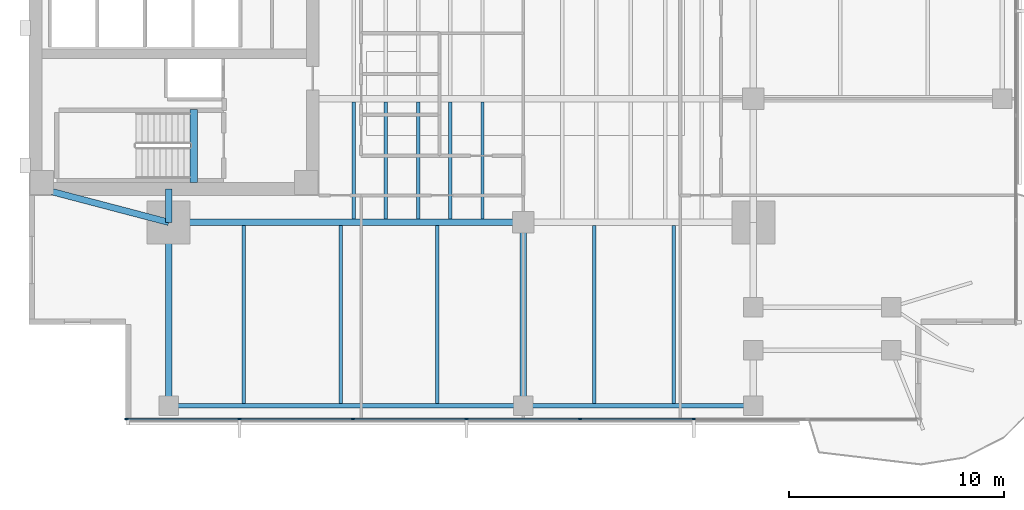
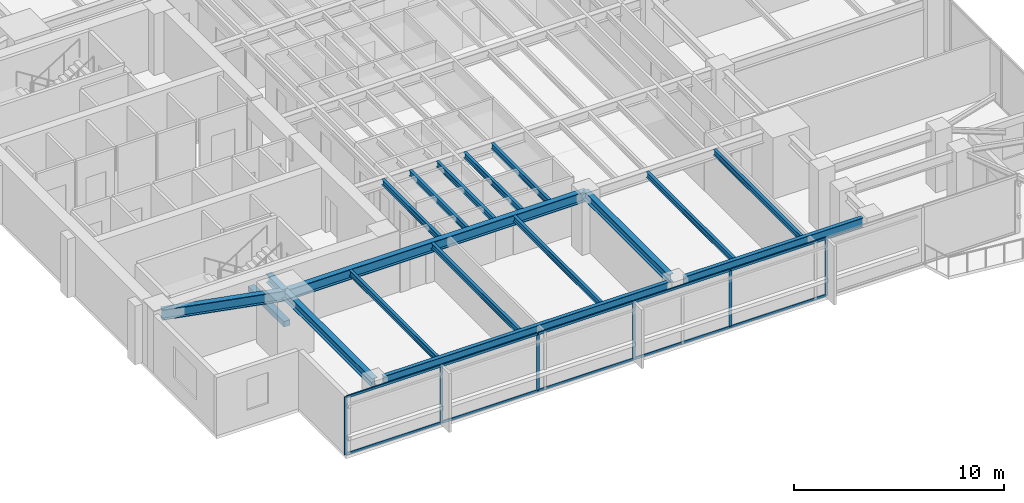
# One storey, part 2 of 14: 18 beams, 16 members, 1 element without a shape of its own.
"""IFC4 building model written with IfcOpenShell, lengths in metres."""

from ifc_helpers import new_model, si_unit, direction, frame, origin, origin_2d, place, context, subcontext, project, spatial, rectangle, i_section, extrude, material, layer, layer_set, material_profile, profile_set, type_object, element, aggregate, save


model = new_model("IFC4")

# Units and contexts
model_context = context("Model", 3, precision=1e-05, world=origin(), true_north=direction((0.0, 1.0)))
body_context = subcontext(model_context, "Body", "Model", "MODEL_VIEW")
ifc_project = project(units=[si_unit("LENGTHUNIT", "METRE"), si_unit("AREAUNIT", "SQUARE_METRE"), si_unit("VOLUMEUNIT", "CUBIC_METRE"), si_unit("PLANEANGLEUNIT", "RADIAN"), si_unit("MASSUNIT", "GRAM", prefix="KILO")], contexts=[model_context])

# Site, building, storey
site_placement = place(None, origin())
site = spatial("IfcSite", under=ifc_project, at=site_placement, CompositionType="ELEMENT")
building_placement = place(site_placement, origin())
building = spatial("IfcBuilding", under=site, at=building_placement, Name="Kinhvarn Gate Tower", CompositionType="ELEMENT")
storey_placement = place(building_placement, frame((0.0, 0.0, 155.5)))
storey = spatial("IfcBuildingStorey", under=building, at=storey_placement, Name="L41", CompositionType="ELEMENT", Elevation=155.5)

# Beam
ifc_material_1 = material(Name="Concrete C50/60", Category="concrete")
ifc_material_profile_1 = material_profile(ifc_material_1, rectangle(XDim=0.340087890625, YDim=0.320068359375, at=origin_2d()), Name="RC 340x320")
ifc_profile_set_1 = profile_set([ifc_material_profile_1], Name="Concrete C50/60")
beam_type_1 = type_object("IfcBeamType", Name="BM-LND-500", PredefinedType="BEAM", material=ifc_profile_set_1)
beam_1_placement = place(storey_placement, frame((12.1650390625, 14.60009765625, -0.159912109375), z_axis=(0.0, 1.0, 0.0), x_axis=(-1.0, 0.0, 0.0)))
element("IfcBeam", 1, at=beam_1_placement, inside=storey, type_object=beam_type_1, Name="Stair ST1 Landing Nosing Beam (L41)", PredefinedType="BEAM", context=body_context, shape_type="SweptSolid", body=[
    extrude(rectangle(XDim=0.340087890625, YDim=0.320068359375, at=origin_2d()), origin(), (0.0, 0.0, 1.0), 3.39990234375),
])

# Curtain wall, members
ifc_material_2 = material(Name="Anodised aluminium AW-6063", Category="aluminium")
ifc_layer = layer(ifc_material_2, 0.179931640625)
ifc_layer_set = layer_set([ifc_layer], Name="Anodised aluminium AW-6063")
curtain_wall_type = type_object("IfcCurtainWallType", Name="CW-SYS-3", PredefinedType="NOTDEFINED", material=ifc_layer_set)
curtain_wall_placement = place(storey_placement, origin())
curtain_wall = element("IfcCurtainWall", 2, at=curtain_wall_placement, inside=storey, type_object=curtain_wall_type, Name="Curtain Wall CW3 (L41)", PredefinedType="NOTDEFINED")
ifc_material_profile_2 = material_profile(ifc_material_2, rectangle(XDim=0.06494140625, YDim=0.159912109375, at=origin_2d()), Name="ALU 65x160")
ifc_profile_set_2 = profile_set([ifc_material_profile_2], Name="Anodised aluminium AW-6063")
member_type_1 = type_object("IfcMemberType", Name="CW-MUL-160", PredefinedType="MULLION", material=ifc_profile_set_2)
member_1_placement = place(storey_placement, frame((9.032470703125, 3.590087890625, 0.0), z_axis=(0.0, 0.0, 1.0), x_axis=(0.0, 1.0, 0.0)))
member_1 = element("IfcMember", 3, at=member_1_placement, type_object=member_type_1, Name="CW3 mullion 1", PredefinedType="MULLION", context=body_context, shape_type="SweptSolid", body=[
    extrude(rectangle(XDim=0.06494140625, YDim=0.159912109375, at=origin_2d()), origin(), (0.0, 0.0, 1.0), 3.3701171875),
])
member_2_placement = place(storey_placement, frame((14.28564453125, 3.590087890625, 0.0), z_axis=(0.0, 0.0, 1.0), x_axis=(0.0, 1.0, 0.0)))
member_2 = element("IfcMember", 4, at=member_2_placement, type_object=member_type_1, Name="CW3 mullion 2", PredefinedType="MULLION", context=body_context, shape_type="SweptSolid", body=[
    extrude(rectangle(XDim=0.06494140625, YDim=0.159912109375, at=origin_2d()), origin(), (0.0, 0.0, 1.0), 3.3701171875),
])
member_3_placement = place(storey_placement, frame((19.571533203125, 3.590087890625, 0.0), z_axis=(0.0, 0.0, 1.0), x_axis=(0.0, 1.0, 0.0)))
member_3 = element("IfcMember", 5, at=member_3_placement, type_object=member_type_1, Name="CW3 mullion 3", PredefinedType="MULLION", context=body_context, shape_type="SweptSolid", body=[
    extrude(rectangle(XDim=0.06494140625, YDim=0.159912109375, at=origin_2d()), origin(), (0.0, 0.0, 1.0), 3.3701171875),
])
member_4_placement = place(storey_placement, frame((24.857177734375, 3.590087890625, 0.0), z_axis=(0.0, 0.0, 1.0), x_axis=(0.0, 1.0, 0.0)))
member_4 = element("IfcMember", 6, at=member_4_placement, type_object=member_type_1, Name="CW3 mullion 4", PredefinedType="MULLION", context=body_context, shape_type="SweptSolid", body=[
    extrude(rectangle(XDim=0.06494140625, YDim=0.159912109375, at=origin_2d()), origin(), (0.0, 0.0, 1.0), 3.3701171875),
])
member_5_placement = place(storey_placement, frame((30.142822265625, 3.590087890625, 0.0), z_axis=(0.0, 0.0, 1.0), x_axis=(0.0, 1.0, 0.0)))
member_5 = element("IfcMember", 7, at=member_5_placement, type_object=member_type_1, Name="CW3 mullion 5", PredefinedType="MULLION", context=body_context, shape_type="SweptSolid", body=[
    extrude(rectangle(XDim=0.06494140625, YDim=0.159912109375, at=origin_2d()), origin(), (0.0, 0.0, 1.0), 3.3701171875),
])
member_6_placement = place(storey_placement, frame((35.428466796875, 3.590087890625, 0.0), z_axis=(0.0, 0.0, 1.0), x_axis=(0.0, 1.0, 0.0)))
member_6 = element("IfcMember", 8, at=member_6_placement, type_object=member_type_1, Name="CW3 mullion 6", PredefinedType="MULLION", context=body_context, shape_type="SweptSolid", body=[
    extrude(rectangle(XDim=0.06494140625, YDim=0.159912109375, at=origin_2d()), origin(), (0.0, 0.0, 1.0), 3.3701171875),
])
ifc_material_profile_3 = material_profile(ifc_material_2, rectangle(XDim=0.070068359375, YDim=0.139892578125, at=origin_2d()), Name="ALU 70x140")
ifc_profile_set_3 = profile_set([ifc_material_profile_3], Name="Anodised aluminium AW-6063")
member_type_2 = type_object("IfcMemberType", Name="CW-TRN-140", PredefinedType="USERDEFINED", material=ifc_profile_set_3)
member_7_placement = place(storey_placement, frame((9.06494140625, 3.590087890625, 0.034912109375), z_axis=(1.0, 0.0, 0.0), x_axis=(0.0, 1.0, 0.0)))
member_7 = element("IfcMember", 9, at=member_7_placement, type_object=member_type_2, Name="CW3 transom 1.1", ObjectType="TRANSOM", PredefinedType="USERDEFINED", context=body_context, shape_type="SweptSolid", body=[
    extrude(rectangle(XDim=0.070068359375, YDim=0.139892578125, at=origin_2d()), origin(), (0.0, 0.0, 1.0), 5.188232421875),
])
member_8_placement = place(storey_placement, frame((9.06494140625, 3.590087890625, 3.3349609375), z_axis=(1.0, 0.0, 0.0), x_axis=(0.0, 1.0, 0.0)))
member_8 = element("IfcMember", 10, at=member_8_placement, type_object=member_type_2, Name="CW3 transom 1.2", ObjectType="TRANSOM", PredefinedType="USERDEFINED", context=body_context, shape_type="SweptSolid", body=[
    extrude(rectangle(XDim=0.070068359375, YDim=0.139892578125, at=origin_2d()), origin(), (0.0, 0.0, 1.0), 5.188232421875),
])
member_9_placement = place(storey_placement, frame((14.318115234375, 3.590087890625, 0.034912109375), z_axis=(1.0, 0.0, 0.0), x_axis=(0.0, 1.0, 0.0)))
member_9 = element("IfcMember", 11, at=member_9_placement, type_object=member_type_2, Name="CW3 transom 2.1", ObjectType="TRANSOM", PredefinedType="USERDEFINED", context=body_context, shape_type="SweptSolid", body=[
    extrude(rectangle(XDim=0.070068359375, YDim=0.139892578125, at=origin_2d()), origin(), (0.0, 0.0, 1.0), 5.220703125),
])
member_10_placement = place(storey_placement, frame((14.318115234375, 3.590087890625, 3.3349609375), z_axis=(1.0, 0.0, 0.0), x_axis=(0.0, 1.0, 0.0)))
member_10 = element("IfcMember", 12, at=member_10_placement, type_object=member_type_2, Name="CW3 transom 2.2", ObjectType="TRANSOM", PredefinedType="USERDEFINED", context=body_context, shape_type="SweptSolid", body=[
    extrude(rectangle(XDim=0.070068359375, YDim=0.139892578125, at=origin_2d()), origin(), (0.0, 0.0, 1.0), 5.220703125),
])
member_11_placement = place(storey_placement, frame((19.60400390625, 3.590087890625, 0.034912109375), z_axis=(1.0, 0.0, 0.0), x_axis=(0.0, 1.0, 0.0)))
member_11 = element("IfcMember", 13, at=member_11_placement, type_object=member_type_2, Name="CW3 transom 3.1", ObjectType="TRANSOM", PredefinedType="USERDEFINED", context=body_context, shape_type="SweptSolid", body=[
    extrude(rectangle(XDim=0.070068359375, YDim=0.139892578125, at=origin_2d()), origin(), (0.0, 0.0, 1.0), 5.220703125),
])
member_12_placement = place(storey_placement, frame((19.60400390625, 3.590087890625, 3.3349609375), z_axis=(1.0, 0.0, 0.0), x_axis=(0.0, 1.0, 0.0)))
member_12 = element("IfcMember", 14, at=member_12_placement, type_object=member_type_2, Name="CW3 transom 3.2", ObjectType="TRANSOM", PredefinedType="USERDEFINED", context=body_context, shape_type="SweptSolid", body=[
    extrude(rectangle(XDim=0.070068359375, YDim=0.139892578125, at=origin_2d()), origin(), (0.0, 0.0, 1.0), 5.220703125),
])
member_13_placement = place(storey_placement, frame((24.8896484375, 3.590087890625, 0.034912109375), z_axis=(1.0, 0.0, 0.0), x_axis=(0.0, 1.0, 0.0)))
member_13 = element("IfcMember", 15, at=member_13_placement, type_object=member_type_2, Name="CW3 transom 4.1", ObjectType="TRANSOM", PredefinedType="USERDEFINED", context=body_context, shape_type="SweptSolid", body=[
    extrude(rectangle(XDim=0.070068359375, YDim=0.139892578125, at=origin_2d()), origin(), (0.0, 0.0, 1.0), 5.220703125),
])
member_14_placement = place(storey_placement, frame((24.8896484375, 3.590087890625, 3.3349609375), z_axis=(1.0, 0.0, 0.0), x_axis=(0.0, 1.0, 0.0)))
member_14 = element("IfcMember", 16, at=member_14_placement, type_object=member_type_2, Name="CW3 transom 4.2", ObjectType="TRANSOM", PredefinedType="USERDEFINED", context=body_context, shape_type="SweptSolid", body=[
    extrude(rectangle(XDim=0.070068359375, YDim=0.139892578125, at=origin_2d()), origin(), (0.0, 0.0, 1.0), 5.220703125),
])
member_15_placement = place(storey_placement, frame((30.17529296875, 3.590087890625, 0.034912109375), z_axis=(1.0, 0.0, 0.0), x_axis=(0.0, 1.0, 0.0)))
member_15 = element("IfcMember", 17, at=member_15_placement, type_object=member_type_2, Name="CW3 transom 5.1", ObjectType="TRANSOM", PredefinedType="USERDEFINED", context=body_context, shape_type="SweptSolid", body=[
    extrude(rectangle(XDim=0.070068359375, YDim=0.139892578125, at=origin_2d()), origin(), (0.0, 0.0, 1.0), 5.220703125),
])
member_16_placement = place(storey_placement, frame((30.17529296875, 3.590087890625, 3.3349609375), z_axis=(1.0, 0.0, 0.0), x_axis=(0.0, 1.0, 0.0)))
member_16 = element("IfcMember", 18, at=member_16_placement, type_object=member_type_2, Name="CW3 transom 5.2", ObjectType="TRANSOM", PredefinedType="USERDEFINED", context=body_context, shape_type="SweptSolid", body=[
    extrude(rectangle(XDim=0.070068359375, YDim=0.139892578125, at=origin_2d()), origin(), (0.0, 0.0, 1.0), 5.220703125),
])
aggregate(curtain_wall, [member_1, member_2, member_3, member_4, member_5, member_6, member_7, member_8, member_9, member_10, member_11, member_12, member_13, member_14, member_15, member_16])

# Beams
ifc_material_3 = material(Name="Steel S355", Category="steel")
ifc_material_profile_4 = material_profile(ifc_material_3, i_section(OverallWidth=0.300048828125, OverallDepth=0.5, WebThickness=0.014404296875, FlangeThickness=0.028076171875, at=origin_2d()), Name="HEB 500")
ifc_profile_set_4 = profile_set([ifc_material_profile_4], Name="Steel S355")
beam_type_2 = type_object("IfcBeamType", Name="STL-HEB500", PredefinedType="BEAM", material=ifc_profile_set_4)
beam_2_placement = place(storey_placement, frame((11.0, 4.219970703125, 3.1201171875), z_axis=(0.0, 1.0, 0.0), x_axis=(-1.0, 0.0, 0.0)))
element("IfcBeam", 19, at=beam_2_placement, inside=storey, type_object=beam_type_2, Name="Floor Beam PG-14 (L41 MCW-S)", PredefinedType="BEAM", context=body_context, shape_type="SweptSolid", body=[
    extrude(i_section(OverallWidth=0.300048828125, OverallDepth=0.5, WebThickness=0.014404296875, FlangeThickness=0.028076171875, at=origin_2d()), origin(), (0.0, 0.0, 1.0), 8.530029296875),
])
beam_3_placement = place(storey_placement, frame((11.0, 12.75, 3.1201171875), z_axis=(0.0, 1.0, 0.0), x_axis=(-1.0, 0.0, 0.0)))
element("IfcBeam", 20, at=beam_3_placement, inside=storey, type_object=beam_type_2, Name="Floor Beam PG-14 (L41 MCW-CS)", PredefinedType="BEAM", context=body_context, shape_type="SweptSolid", body=[
    extrude(i_section(OverallWidth=0.300048828125, OverallDepth=0.5, WebThickness=0.014404296875, FlangeThickness=0.028076171875, at=origin_2d()), origin(), (0.0, 0.0, 1.0), 1.550048828125),
])
beam_4_placement = place(storey_placement, frame((27.5, 4.655029296875, 3.1201171875), z_axis=(0.0, 1.0, 0.0), x_axis=(-1.0, 0.0, 0.0)))
element("IfcBeam", 21, at=beam_4_placement, inside=storey, type_object=beam_type_2, Name="Floor Beam PG-14 (L41 SP27-S-TIE)", PredefinedType="BEAM", context=body_context, shape_type="SweptSolid", body=[
    extrude(i_section(OverallWidth=0.300048828125, OverallDepth=0.5, WebThickness=0.014404296875, FlangeThickness=0.028076171875, at=origin_2d()), origin(), (0.0, 0.0, 1.0), 8.094970703125),
])
ifc_material_profile_5 = material_profile(ifc_material_3, i_section(OverallWidth=0.300048828125, OverallDepth=0.60009765625, WebThickness=0.015380859375, FlangeThickness=0.030029296875, at=origin_2d()), Name="HEB 600")
ifc_profile_set_5 = profile_set([ifc_material_profile_5], Name="Steel S355")
beam_type_3 = type_object("IfcBeamType", Name="STL-HEB600", PredefinedType="BEAM", material=ifc_profile_set_5)
beam_5_placement = place(storey_placement, frame((11.0, 12.75, 3.070068359375), z_axis=(1.0, 0.0, 0.0), x_axis=(0.0, 1.0, 0.0)))
element("IfcBeam", 22, at=beam_5_placement, inside=storey, type_object=beam_type_3, Name="Floor Beam PG-16 (L41 MG-S1)", PredefinedType="BEAM", context=body_context, shape_type="SweptSolid", body=[
    extrude(i_section(OverallWidth=0.300048828125, OverallDepth=0.60009765625, WebThickness=0.015380859375, FlangeThickness=0.030029296875, at=origin_2d()), origin(), (0.0, 0.0, 1.0), 16.5),
])
beam_6_placement = place(storey_placement, frame((5.10009765625, 14.300048828125, 3.070068359375), z_axis=(0.967177623957, -0.254101246979, 0.0), x_axis=(0.254101246979, 0.967177623957, 0.0)))
element("IfcBeam", 23, at=beam_6_placement, inside=storey, type_object=beam_type_3, Name="Floor Beam PG-16 (L41 MG-SW-DIAG)", PredefinedType="BEAM", context=body_context, shape_type="SweptSolid", body=[
    extrude(i_section(OverallWidth=0.300048828125, OverallDepth=0.60009765625, WebThickness=0.015380859375, FlangeThickness=0.030029296875, at=origin_2d()), origin(), (0.0, 0.0, 1.0), 6.10009765625),
])
ifc_material_profile_6 = material_profile(ifc_material_3, i_section(OverallWidth=0.159912109375, OverallDepth=0.330078125, WebThickness=0.007568359375, FlangeThickness=0.011474609375, at=origin_2d()), Name="IPE 330")
ifc_profile_set_6 = profile_set([ifc_material_profile_6], Name="Steel S355")
beam_type_4 = type_object("IfcBeamType", Name="STL-IPE330", PredefinedType="JOIST", material=ifc_profile_set_6)
for number, where, z_axis, x_axis, name in (
    (24, (19.60009765625, 12.89990234375, 3.205078125), (0.0, 1.0, 0.0), (-1.0, 0.0, 0.0), "Floor Joist SB-03 (L41 JC-X196-0)"),
    (25, (21.10009765625, 12.89990234375, 3.205078125), (0.0, 1.0, 0.0), (-1.0, 0.0, 0.0), "Floor Joist SB-03 (L41 JC-X211-0)"),
    (26, (22.60009765625, 12.89990234375, 3.205078125), (0.0, 1.0, 0.0), (-1.0, 0.0, 0.0), "Floor Joist SB-03 (L41 JC-X226-0)"),
    (27, (24.10009765625, 12.89990234375, 3.205078125), (0.0, 1.0, 0.0), (-1.0, 0.0, 0.0), "Floor Joist SB-03 (L41 JC-X241-0)"),
    (28, (25.60009765625, 12.89990234375, 3.205078125), (0.0, 1.0, 0.0), (-1.0, 0.0, 0.0), "Floor Joist SB-03 (L41 JC-X256-0)"),
):
    element("IfcBeam", number, at=place(storey_placement, frame(where, z_axis=z_axis, x_axis=x_axis)), inside=storey, type_object=beam_type_4, Name=name, PredefinedType="JOIST", context=body_context, shape_type="SweptSolid", body=[
        extrude(i_section(OverallWidth=0.159912109375, OverallDepth=0.330078125, WebThickness=0.007568359375, FlangeThickness=0.011474609375, at=origin_2d()), origin(), (0.0, 0.0, 1.0), 5.4501953125),
    ])
for number, where, z_axis, x_axis, name in (
    (29, (14.5, 4.324951171875, 3.205078125), (0.0, 1.0, 0.0), (-1.0, 0.0, 0.0), "Floor Joist SB-03 (L41 JS-X145)"),
    (30, (19.0, 4.324951171875, 3.205078125), (0.0, 1.0, 0.0), (-1.0, 0.0, 0.0), "Floor Joist SB-03 (L41 JS-X190)"),
    (31, (23.5, 4.324951171875, 3.205078125), (0.0, 1.0, 0.0), (-1.0, 0.0, 0.0), "Floor Joist SB-03 (L41 JS-X235)"),
    (32, (30.800048828125, 4.324951171875, 3.205078125), (0.0, 1.0, 0.0), (-1.0, 0.0, 0.0), "Floor Joist SB-03 (L41 JS-X308)"),
    (33, (34.5, 4.324951171875, 3.205078125), (0.0, 1.0, 0.0), (-1.0, 0.0, 0.0), "Floor Joist SB-03 (L41 JS-X345)"),
):
    element("IfcBeam", number, at=place(storey_placement, frame(where, z_axis=z_axis, x_axis=x_axis)), inside=storey, type_object=beam_type_4, Name=name, PredefinedType="JOIST", context=body_context, shape_type="SweptSolid", body=[
        extrude(i_section(OverallWidth=0.159912109375, OverallDepth=0.330078125, WebThickness=0.007568359375, FlangeThickness=0.011474609375, at=origin_2d()), origin(), (0.0, 0.0, 1.0), 8.275146484375),
    ])
ifc_material_profile_7 = material_profile(ifc_material_3, i_section(OverallWidth=0.2099609375, OverallDepth=0.550048828125, WebThickness=0.010986328125, FlangeThickness=0.01708984375, at=origin_2d()), Name="IPE 550")
ifc_profile_set_7 = profile_set([ifc_material_profile_7], Name="Steel S355")
beam_type_5 = type_object("IfcBeamType", Name="STL-IPE550", PredefinedType="SPANDREL", material=ifc_profile_set_7)
beam_7_placement = place(storey_placement, frame((11.43505859375, 4.219970703125, 3.094970703125), z_axis=(1.0, 0.0, 0.0), x_axis=(0.0, 1.0, 0.0)))
element("IfcBeam", 34, at=beam_7_placement, inside=storey, type_object=beam_type_5, Name="Floor Spandrel SB-08 (L41 SP-S1)", PredefinedType="SPANDREL", context=body_context, shape_type="SweptSolid", body=[
    extrude(i_section(OverallWidth=0.2099609375, OverallDepth=0.550048828125, WebThickness=0.010986328125, FlangeThickness=0.01708984375, at=origin_2d()), origin(), (0.0, 0.0, 1.0), 15.6298828125),
])
beam_8_placement = place(storey_placement, frame((27.93505859375, 4.219970703125, 3.094970703125), z_axis=(1.0, 0.0, 0.0), x_axis=(0.0, 1.0, 0.0)))
element("IfcBeam", 35, at=beam_8_placement, inside=storey, type_object=beam_type_5, Name="Floor Spandrel SB-08 (L41 SP-S2)", PredefinedType="SPANDREL", context=body_context, shape_type="SweptSolid", body=[
    extrude(i_section(OverallWidth=0.2099609375, OverallDepth=0.550048828125, WebThickness=0.010986328125, FlangeThickness=0.01708984375, at=origin_2d()), origin(), (0.0, 0.0, 1.0), 9.829833984375),
])

save(model, "model.ifc")
